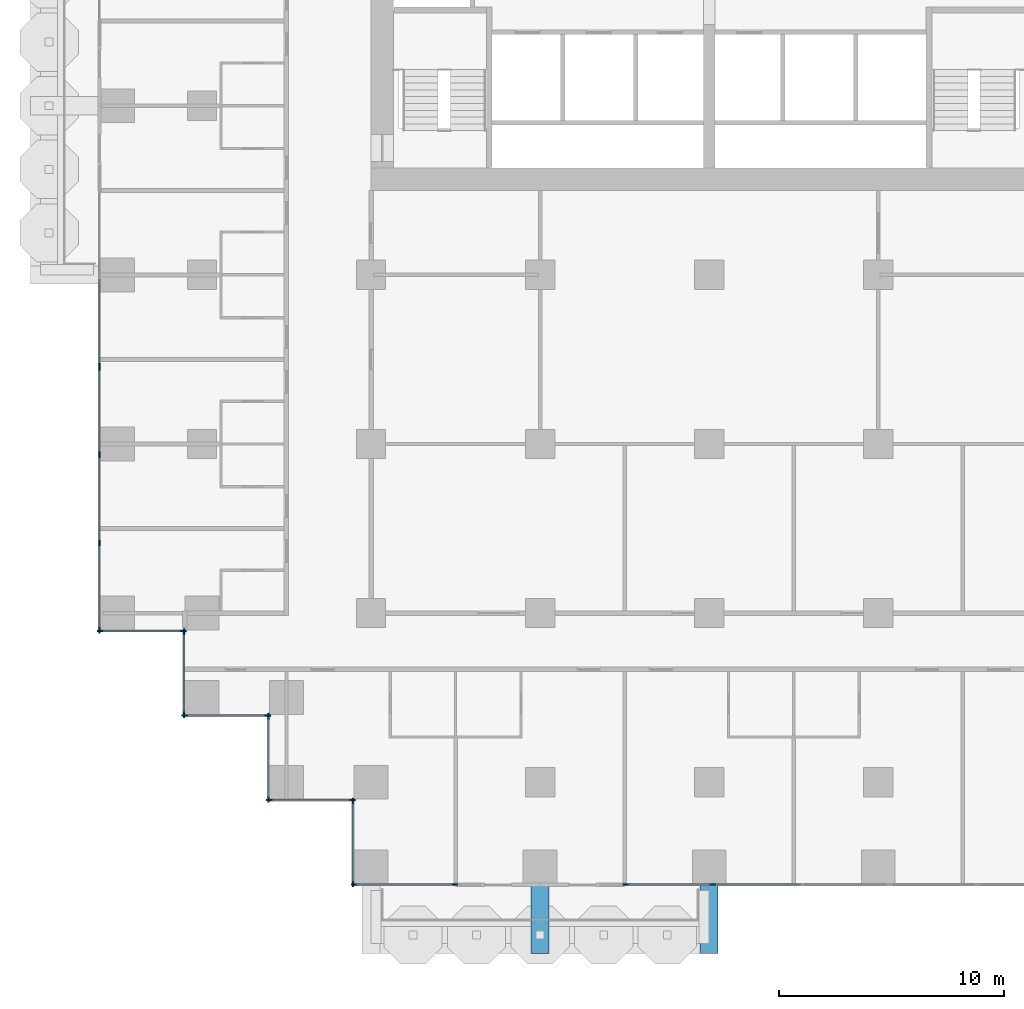
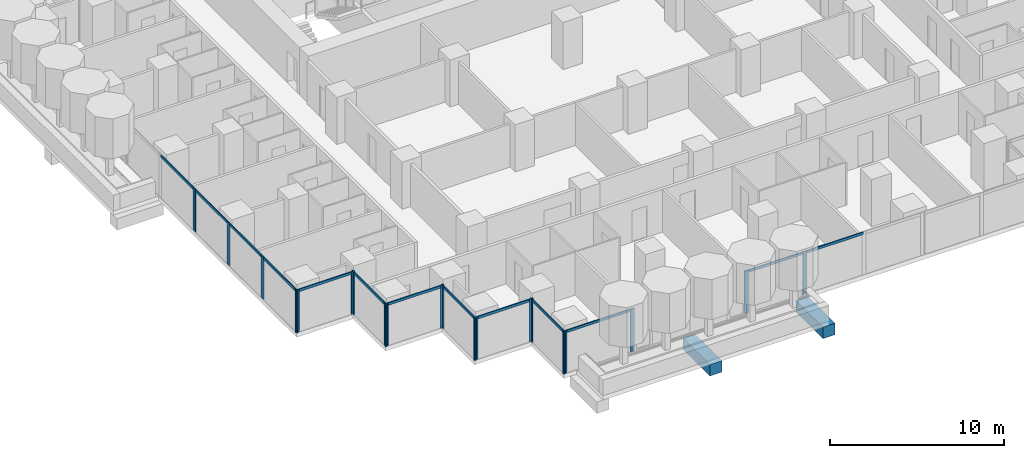
# One storey, part 2 of 18: 34 members, 2 beams, 10 elements without a shape of their own.
"""IFC4 building model written with IfcOpenShell, lengths in metres."""

from ifc_helpers import new_model, si_unit, direction, frame, origin, origin_2d, place, context, subcontext, project, spatial, rectangle, extrude, material, material_profile, profile_set, type_object, element, aggregate, save


model = new_model("IFC4")

# Units and contexts
model_context = context("Model", 3, precision=1e-05, world=origin(), true_north=direction((0.0, 1.0)))
body_context = subcontext(model_context, "Body", "Model", "MODEL_VIEW")
ifc_project = project(units=[si_unit("LENGTHUNIT", "METRE"), si_unit("AREAUNIT", "SQUARE_METRE"), si_unit("VOLUMEUNIT", "CUBIC_METRE"), si_unit("PLANEANGLEUNIT", "RADIAN"), si_unit("MASSUNIT", "GRAM", prefix="KILO")], contexts=[model_context])

# Site, building, storey
site_placement = place(None, origin())
site = spatial("IfcSite", under=ifc_project, at=site_placement, CompositionType="ELEMENT")
building_placement = place(site_placement, origin())
building = spatial("IfcBuilding", under=site, at=building_placement, Name="Pilkhan Gate Tower", CompositionType="ELEMENT")
storey_placement = place(building_placement, frame((0.0, 0.0, 75.800048828125)))
storey = spatial("IfcBuildingStorey", under=building, at=storey_placement, Name="L17", CompositionType="ELEMENT", Elevation=75.800048828125)

# Beams
ifc_material_1 = material(Name="Concrete C50/60", Category="concrete")
ifc_material_profile_1 = material_profile(ifc_material_1, rectangle(XDim=0.800048828125, YDim=0.800048828125, at=origin_2d()), Name="RC 800x800")
ifc_profile_set_1 = profile_set([ifc_material_profile_1], Name="Concrete C50/60")
beam_type = type_object("IfcBeamType", Name="Cantilever beam CB2 RC 800x800 C50/60", PredefinedType="BEAM", material=ifc_profile_set_1)
for number, where, z_axis, x_axis, name in (
    (1, (67.5, 40.5, -0.699951171875), (0.0, -1.0, 0.0), (1.0, 0.0, 0.0), "Balcony beam S.2 L17"),
    (2, (75.0, 40.5, -0.699951171875), (0.0, -1.0, 0.0), (1.0, 0.0, 0.0), "Balcony beam S.3 L17"),
):
    element("IfcBeam", number, at=place(storey_placement, frame(where, z_axis=z_axis, x_axis=x_axis)), inside=storey, type_object=beam_type, Name=name, PredefinedType="BEAM", context=body_context, shape_type="SweptSolid", body=[
        extrude(rectangle(XDim=0.800048828125, YDim=0.800048828125, at=origin_2d()), origin(), (0.0, 0.0, 1.0), 3.10009765625),
    ])

# Curtain wall, members
ifc_material_2 = material(Name="Pale anodised aluminium, clear low-iron double glazing", Category="aluminium")
curtain_wall_type = type_object("IfcCurtainWallType", Name="Hotel unitised curtain wall CW-H", PredefinedType="USERDEFINED", material=ifc_material_2)
curtain_wall_1_placement = place(storey_placement, origin())
curtain_wall_1 = element("IfcCurtainWall", 3, at=curtain_wall_1_placement, inside=storey, type_object=curtain_wall_type, Name="Hotel unitised curtain wall CW-H L17 W", ObjectType="UNITISED CURTAIN WALL", PredefinedType="USERDEFINED")
ifc_material_3 = material(Name="Pale anodised aluminium", Category="aluminium")
ifc_material_profile_2 = material_profile(ifc_material_3, rectangle(XDim=0.06494140625, YDim=0.25, at=origin_2d()), Name="Mullion 250x65")
ifc_profile_set_2 = profile_set([ifc_material_profile_2], Name="Pale anodised aluminium")
member_type_1 = type_object("IfcMemberType", Name="Mullion CW-H 250x65", PredefinedType="MULLION", material=ifc_profile_set_2)
member_1_placement = place(storey_placement, frame((47.955078125, 51.737548828125, 0.0), z_axis=(0.0, 0.0, 1.0), x_axis=(-1.0, 0.0, 0.0)))
member_1 = element("IfcMember", 4, at=member_1_placement, type_object=member_type_1, Name="CW-H mullion 1", PredefinedType="MULLION", context=body_context, shape_type="SweptSolid", body=[
    extrude(rectangle(XDim=0.06494140625, YDim=0.25, at=origin_2d()), origin(), (0.0, 0.0, 1.0), 3.0),
])
member_2_placement = place(storey_placement, frame((47.955078125, 55.614013671875, 0.0), z_axis=(0.0, 0.0, 1.0), x_axis=(-1.0, 0.0, 0.0)))
member_2 = element("IfcMember", 5, at=member_2_placement, type_object=member_type_1, Name="CW-H mullion 2", PredefinedType="MULLION", context=body_context, shape_type="SweptSolid", body=[
    extrude(rectangle(XDim=0.06494140625, YDim=0.25, at=origin_2d()), origin(), (0.0, 0.0, 1.0), 3.0),
])
member_3_placement = place(storey_placement, frame((47.955078125, 59.52294921875, 0.0), z_axis=(0.0, 0.0, 1.0), x_axis=(-1.0, 0.0, 0.0)))
member_3 = element("IfcMember", 6, at=member_3_placement, type_object=member_type_1, Name="CW-H mullion 3", PredefinedType="MULLION", context=body_context, shape_type="SweptSolid", body=[
    extrude(rectangle(XDim=0.06494140625, YDim=0.25, at=origin_2d()), origin(), (0.0, 0.0, 1.0), 3.0),
])
member_4_placement = place(storey_placement, frame((47.955078125, 63.3994140625, 0.0), z_axis=(0.0, 0.0, 1.0), x_axis=(-1.0, 0.0, 0.0)))
member_4 = element("IfcMember", 7, at=member_4_placement, type_object=member_type_1, Name="CW-H mullion 4", PredefinedType="MULLION", context=body_context, shape_type="SweptSolid", body=[
    extrude(rectangle(XDim=0.06494140625, YDim=0.25, at=origin_2d()), origin(), (0.0, 0.0, 1.0), 3.0),
])

# Curtain wall, member
curtain_wall_2_placement = place(storey_placement, origin())
curtain_wall_2 = element("IfcCurtainWall", 8, at=curtain_wall_2_placement, inside=storey, type_object=curtain_wall_type, Name="Hotel unitised curtain wall CW-H L17 W", ObjectType="UNITISED CURTAIN WALL", PredefinedType="USERDEFINED")
member_5_placement = place(storey_placement, frame((47.955078125, 63.464599609375, 0.0), z_axis=(0.0, 0.0, 1.0), x_axis=(-1.0, 0.0, 0.0)))
member_5 = element("IfcMember", 9, at=member_5_placement, type_object=member_type_1, Name="CW-H mullion 1", PredefinedType="MULLION", context=body_context, shape_type="SweptSolid", body=[
    extrude(rectangle(XDim=0.06494140625, YDim=0.25, at=origin_2d()), origin(), (0.0, 0.0, 1.0), 3.0),
])

# Curtain wall, members
curtain_wall_3_placement = place(storey_placement, origin())
curtain_wall_3 = element("IfcCurtainWall", 10, at=curtain_wall_3_placement, inside=storey, type_object=curtain_wall_type, Name="Hotel unitised curtain wall CW-H L17 S", ObjectType="UNITISED CURTAIN WALL", PredefinedType="USERDEFINED")
member_6_placement = place(storey_placement, frame((47.987548828125, 51.705078125, 0.0), z_axis=(0.0, 0.0, 1.0), x_axis=(0.0, 1.0, 0.0)))
member_6 = element("IfcMember", 11, at=member_6_placement, type_object=member_type_1, Name="CW-H mullion 1", PredefinedType="MULLION", context=body_context, shape_type="SweptSolid", body=[
    extrude(rectangle(XDim=0.06494140625, YDim=0.25, at=origin_2d()), origin(), (0.0, 0.0, 1.0), 3.0),
])
member_7_placement = place(storey_placement, frame((51.672607421875, 51.705078125, 0.0), z_axis=(0.0, 0.0, 1.0), x_axis=(0.0, 1.0, 0.0)))
member_7 = element("IfcMember", 12, at=member_7_placement, type_object=member_type_1, Name="CW-H mullion 2", PredefinedType="MULLION", context=body_context, shape_type="SweptSolid", body=[
    extrude(rectangle(XDim=0.06494140625, YDim=0.25, at=origin_2d()), origin(), (0.0, 0.0, 1.0), 3.0),
])

curtain_wall_4_placement = place(storey_placement, origin())
curtain_wall_4 = element("IfcCurtainWall", 13, at=curtain_wall_4_placement, inside=storey, type_object=curtain_wall_type, Name="Hotel unitised curtain wall CW-H L17 W", ObjectType="UNITISED CURTAIN WALL", PredefinedType="USERDEFINED")
member_8_placement = place(storey_placement, frame((51.705078125, 47.987548828125, 0.0), z_axis=(0.0, 0.0, 1.0), x_axis=(-1.0, 0.0, 0.0)))
member_8 = element("IfcMember", 14, at=member_8_placement, type_object=member_type_1, Name="CW-H mullion 1", PredefinedType="MULLION", context=body_context, shape_type="SweptSolid", body=[
    extrude(rectangle(XDim=0.06494140625, YDim=0.25, at=origin_2d()), origin(), (0.0, 0.0, 1.0), 3.0),
])
member_9_placement = place(storey_placement, frame((51.705078125, 51.672607421875, 0.0), z_axis=(0.0, 0.0, 1.0), x_axis=(-1.0, 0.0, 0.0)))
member_9 = element("IfcMember", 15, at=member_9_placement, type_object=member_type_1, Name="CW-H mullion 2", PredefinedType="MULLION", context=body_context, shape_type="SweptSolid", body=[
    extrude(rectangle(XDim=0.06494140625, YDim=0.25, at=origin_2d()), origin(), (0.0, 0.0, 1.0), 3.0),
])

curtain_wall_5_placement = place(storey_placement, origin())
curtain_wall_5 = element("IfcCurtainWall", 16, at=curtain_wall_5_placement, inside=storey, type_object=curtain_wall_type, Name="Hotel unitised curtain wall CW-H L17 S", ObjectType="UNITISED CURTAIN WALL", PredefinedType="USERDEFINED")
member_10_placement = place(storey_placement, frame((51.737548828125, 47.955078125, 0.0), z_axis=(0.0, 0.0, 1.0), x_axis=(0.0, 1.0, 0.0)))
member_10 = element("IfcMember", 17, at=member_10_placement, type_object=member_type_1, Name="CW-H mullion 1", PredefinedType="MULLION", context=body_context, shape_type="SweptSolid", body=[
    extrude(rectangle(XDim=0.06494140625, YDim=0.25, at=origin_2d()), origin(), (0.0, 0.0, 1.0), 3.0),
])
member_11_placement = place(storey_placement, frame((55.422607421875, 47.955078125, 0.0), z_axis=(0.0, 0.0, 1.0), x_axis=(0.0, 1.0, 0.0)))
member_11 = element("IfcMember", 18, at=member_11_placement, type_object=member_type_1, Name="CW-H mullion 2", PredefinedType="MULLION", context=body_context, shape_type="SweptSolid", body=[
    extrude(rectangle(XDim=0.06494140625, YDim=0.25, at=origin_2d()), origin(), (0.0, 0.0, 1.0), 3.0),
])

curtain_wall_6_placement = place(storey_placement, origin())
curtain_wall_6 = element("IfcCurtainWall", 19, at=curtain_wall_6_placement, inside=storey, type_object=curtain_wall_type, Name="Hotel unitised curtain wall CW-H L17 W", ObjectType="UNITISED CURTAIN WALL", PredefinedType="USERDEFINED")
member_12_placement = place(storey_placement, frame((55.455078125, 44.237548828125, 0.0), z_axis=(0.0, 0.0, 1.0), x_axis=(-1.0, 0.0, 0.0)))
member_12 = element("IfcMember", 20, at=member_12_placement, type_object=member_type_1, Name="CW-H mullion 1", PredefinedType="MULLION", context=body_context, shape_type="SweptSolid", body=[
    extrude(rectangle(XDim=0.06494140625, YDim=0.25, at=origin_2d()), origin(), (0.0, 0.0, 1.0), 3.0),
])
member_13_placement = place(storey_placement, frame((55.455078125, 47.922607421875, 0.0), z_axis=(0.0, 0.0, 1.0), x_axis=(-1.0, 0.0, 0.0)))
member_13 = element("IfcMember", 21, at=member_13_placement, type_object=member_type_1, Name="CW-H mullion 2", PredefinedType="MULLION", context=body_context, shape_type="SweptSolid", body=[
    extrude(rectangle(XDim=0.06494140625, YDim=0.25, at=origin_2d()), origin(), (0.0, 0.0, 1.0), 3.0),
])

curtain_wall_7_placement = place(storey_placement, origin())
curtain_wall_7 = element("IfcCurtainWall", 22, at=curtain_wall_7_placement, inside=storey, type_object=curtain_wall_type, Name="Hotel unitised curtain wall CW-H L17 S", ObjectType="UNITISED CURTAIN WALL", PredefinedType="USERDEFINED")
member_14_placement = place(storey_placement, frame((55.487548828125, 44.205078125, 0.0), z_axis=(0.0, 0.0, 1.0), x_axis=(0.0, 1.0, 0.0)))
member_14 = element("IfcMember", 23, at=member_14_placement, type_object=member_type_1, Name="CW-H mullion 1", PredefinedType="MULLION", context=body_context, shape_type="SweptSolid", body=[
    extrude(rectangle(XDim=0.06494140625, YDim=0.25, at=origin_2d()), origin(), (0.0, 0.0, 1.0), 3.0),
])
member_15_placement = place(storey_placement, frame((59.172607421875, 44.205078125, 0.0), z_axis=(0.0, 0.0, 1.0), x_axis=(0.0, 1.0, 0.0)))
member_15 = element("IfcMember", 24, at=member_15_placement, type_object=member_type_1, Name="CW-H mullion 2", PredefinedType="MULLION", context=body_context, shape_type="SweptSolid", body=[
    extrude(rectangle(XDim=0.06494140625, YDim=0.25, at=origin_2d()), origin(), (0.0, 0.0, 1.0), 3.0),
])

curtain_wall_8_placement = place(storey_placement, origin())
curtain_wall_8 = element("IfcCurtainWall", 25, at=curtain_wall_8_placement, inside=storey, type_object=curtain_wall_type, Name="Hotel unitised curtain wall CW-H L17 W", ObjectType="UNITISED CURTAIN WALL", PredefinedType="USERDEFINED")
member_16_placement = place(storey_placement, frame((59.205078125, 40.487548828125, 0.0), z_axis=(0.0, 0.0, 1.0), x_axis=(-1.0, 0.0, 0.0)))
member_16 = element("IfcMember", 26, at=member_16_placement, type_object=member_type_1, Name="CW-H mullion 1", PredefinedType="MULLION", context=body_context, shape_type="SweptSolid", body=[
    extrude(rectangle(XDim=0.06494140625, YDim=0.25, at=origin_2d()), origin(), (0.0, 0.0, 1.0), 3.0),
])
member_17_placement = place(storey_placement, frame((59.205078125, 44.172607421875, 0.0), z_axis=(0.0, 0.0, 1.0), x_axis=(-1.0, 0.0, 0.0)))
member_17 = element("IfcMember", 27, at=member_17_placement, type_object=member_type_1, Name="CW-H mullion 2", PredefinedType="MULLION", context=body_context, shape_type="SweptSolid", body=[
    extrude(rectangle(XDim=0.06494140625, YDim=0.25, at=origin_2d()), origin(), (0.0, 0.0, 1.0), 3.0),
])

curtain_wall_9_placement = place(storey_placement, origin())
curtain_wall_9 = element("IfcCurtainWall", 28, at=curtain_wall_9_placement, inside=storey, type_object=curtain_wall_type, Name="Hotel unitised curtain wall CW-H L17 S", ObjectType="UNITISED CURTAIN WALL", PredefinedType="USERDEFINED")
member_18_placement = place(storey_placement, frame((59.237548828125, 40.455078125, 0.0), z_axis=(0.0, 0.0, 1.0), x_axis=(0.0, 1.0, 0.0)))
member_18 = element("IfcMember", 29, at=member_18_placement, type_object=member_type_1, Name="CW-H mullion 1", PredefinedType="MULLION", context=body_context, shape_type="SweptSolid", body=[
    extrude(rectangle(XDim=0.06494140625, YDim=0.25, at=origin_2d()), origin(), (0.0, 0.0, 1.0), 3.0),
])
member_19_placement = place(storey_placement, frame((63.717529296875, 40.455078125, 0.0), z_axis=(0.0, 0.0, 1.0), x_axis=(0.0, 1.0, 0.0)))
member_19 = element("IfcMember", 30, at=member_19_placement, type_object=member_type_1, Name="CW-H mullion 2", PredefinedType="MULLION", context=body_context, shape_type="SweptSolid", body=[
    extrude(rectangle(XDim=0.06494140625, YDim=0.25, at=origin_2d()), origin(), (0.0, 0.0, 1.0), 3.0),
])

curtain_wall_10_placement = place(storey_placement, origin())
curtain_wall_10 = element("IfcCurtainWall", 31, at=curtain_wall_10_placement, inside=storey, type_object=curtain_wall_type, Name="Hotel unitised curtain wall CW-H L17 S", ObjectType="UNITISED CURTAIN WALL", PredefinedType="USERDEFINED")
member_20_placement = place(storey_placement, frame((71.282470703125, 40.455078125, 0.0), z_axis=(0.0, 0.0, 1.0), x_axis=(0.0, 1.0, 0.0)))
member_20 = element("IfcMember", 32, at=member_20_placement, type_object=member_type_1, Name="CW-H mullion 1", PredefinedType="MULLION", context=body_context, shape_type="SweptSolid", body=[
    extrude(rectangle(XDim=0.06494140625, YDim=0.25, at=origin_2d()), origin(), (0.0, 0.0, 1.0), 3.0),
])
member_21_placement = place(storey_placement, frame((75.158935546875, 40.455078125, 0.0), z_axis=(0.0, 0.0, 1.0), x_axis=(0.0, 1.0, 0.0)))
member_21 = element("IfcMember", 33, at=member_21_placement, type_object=member_type_1, Name="CW-H mullion 2", PredefinedType="MULLION", context=body_context, shape_type="SweptSolid", body=[
    extrude(rectangle(XDim=0.06494140625, YDim=0.25, at=origin_2d()), origin(), (0.0, 0.0, 1.0), 3.0),
])

# Member
ifc_material_profile_3 = material_profile(ifc_material_3, rectangle(XDim=0.06494140625, YDim=0.179931640625, at=origin_2d()), Name="Transom 180x65")
ifc_profile_set_3 = profile_set([ifc_material_profile_3], Name="Pale anodised aluminium")
member_type_2 = type_object("IfcMemberType", Name="Transom CW-H 180x65", PredefinedType="USERDEFINED", material=ifc_profile_set_3)
member_22_placement = place(storey_placement, frame((47.955078125, 51.77001953125, 2.909912109375), z_axis=(0.0, 1.0, 0.0), x_axis=(-1.0, 0.0, 0.0)))
member_22 = element("IfcMember", 34, at=member_22_placement, type_object=member_type_2, Name="CW-H transom 1", ObjectType="TRANSOM", PredefinedType="USERDEFINED", context=body_context, shape_type="SweptSolid", body=[
    extrude(rectangle(XDim=0.06494140625, YDim=0.179931640625, at=origin_2d()), origin(), (0.0, 0.0, 1.0), 3.8115234375),
])

member_23_placement = place(storey_placement, frame((47.955078125, 55.646484375, 2.909912109375), z_axis=(0.0, 1.0, 0.0), x_axis=(-1.0, 0.0, 0.0)))
member_23 = element("IfcMember", 35, at=member_23_placement, type_object=member_type_2, Name="CW-H transom 2", ObjectType="TRANSOM", PredefinedType="USERDEFINED", context=body_context, shape_type="SweptSolid", body=[
    extrude(rectangle(XDim=0.06494140625, YDim=0.179931640625, at=origin_2d()), origin(), (0.0, 0.0, 1.0), 3.843994140625),
])

member_24_placement = place(storey_placement, frame((47.955078125, 59.555419921875, 2.909912109375), z_axis=(0.0, 1.0, 0.0), x_axis=(-1.0, 0.0, 0.0)))
member_24 = element("IfcMember", 36, at=member_24_placement, type_object=member_type_2, Name="CW-H transom 3", ObjectType="TRANSOM", PredefinedType="USERDEFINED", context=body_context, shape_type="SweptSolid", body=[
    extrude(rectangle(XDim=0.06494140625, YDim=0.179931640625, at=origin_2d()), origin(), (0.0, 0.0, 1.0), 3.8115234375),
])

aggregate(curtain_wall_1, [member_1, member_2, member_3, member_4, member_22, member_23, member_24])

member_25_placement = place(storey_placement, frame((47.955078125, 63.4970703125, 2.909912109375), z_axis=(0.0, 1.0, 0.0), x_axis=(-1.0, 0.0, 0.0)))
member_25 = element("IfcMember", 37, at=member_25_placement, type_object=member_type_2, Name="CW-H transom 1", ObjectType="TRANSOM", PredefinedType="USERDEFINED", context=body_context, shape_type="SweptSolid", body=[
    extrude(rectangle(XDim=0.06494140625, YDim=0.179931640625, at=origin_2d()), origin(), (0.0, 0.0, 1.0), 3.8115234375),
])

aggregate(curtain_wall_2, [member_5, member_25])

member_26_placement = place(storey_placement, frame((48.02001953125, 51.705078125, 2.909912109375), z_axis=(1.0, 0.0, 0.0), x_axis=(0.0, 1.0, 0.0)))
member_26 = element("IfcMember", 38, at=member_26_placement, type_object=member_type_2, Name="CW-H transom 1", ObjectType="TRANSOM", PredefinedType="USERDEFINED", context=body_context, shape_type="SweptSolid", body=[
    extrude(rectangle(XDim=0.06494140625, YDim=0.179931640625, at=origin_2d()), origin(), (0.0, 0.0, 1.0), 3.619873046875),
])

aggregate(curtain_wall_3, [member_6, member_7, member_26])

member_27_placement = place(storey_placement, frame((51.705078125, 48.02001953125, 2.909912109375), z_axis=(0.0, 1.0, 0.0), x_axis=(-1.0, 0.0, 0.0)))
member_27 = element("IfcMember", 39, at=member_27_placement, type_object=member_type_2, Name="CW-H transom 1", ObjectType="TRANSOM", PredefinedType="USERDEFINED", context=body_context, shape_type="SweptSolid", body=[
    extrude(rectangle(XDim=0.06494140625, YDim=0.179931640625, at=origin_2d()), origin(), (0.0, 0.0, 1.0), 3.619873046875),
])

aggregate(curtain_wall_4, [member_8, member_9, member_27])

member_28_placement = place(storey_placement, frame((51.77001953125, 47.955078125, 2.909912109375), z_axis=(1.0, 0.0, 0.0), x_axis=(0.0, 1.0, 0.0)))
member_28 = element("IfcMember", 40, at=member_28_placement, type_object=member_type_2, Name="CW-H transom 1", ObjectType="TRANSOM", PredefinedType="USERDEFINED", context=body_context, shape_type="SweptSolid", body=[
    extrude(rectangle(XDim=0.06494140625, YDim=0.179931640625, at=origin_2d()), origin(), (0.0, 0.0, 1.0), 3.619873046875),
])

aggregate(curtain_wall_5, [member_10, member_11, member_28])

member_29_placement = place(storey_placement, frame((55.455078125, 44.27001953125, 2.909912109375), z_axis=(0.0, 1.0, 0.0), x_axis=(-1.0, 0.0, 0.0)))
member_29 = element("IfcMember", 41, at=member_29_placement, type_object=member_type_2, Name="CW-H transom 1", ObjectType="TRANSOM", PredefinedType="USERDEFINED", context=body_context, shape_type="SweptSolid", body=[
    extrude(rectangle(XDim=0.06494140625, YDim=0.179931640625, at=origin_2d()), origin(), (0.0, 0.0, 1.0), 3.619873046875),
])

aggregate(curtain_wall_6, [member_12, member_13, member_29])

member_30_placement = place(storey_placement, frame((55.52001953125, 44.205078125, 2.909912109375), z_axis=(1.0, 0.0, 0.0), x_axis=(0.0, 1.0, 0.0)))
member_30 = element("IfcMember", 42, at=member_30_placement, type_object=member_type_2, Name="CW-H transom 1", ObjectType="TRANSOM", PredefinedType="USERDEFINED", context=body_context, shape_type="SweptSolid", body=[
    extrude(rectangle(XDim=0.06494140625, YDim=0.179931640625, at=origin_2d()), origin(), (0.0, 0.0, 1.0), 3.619873046875),
])

aggregate(curtain_wall_7, [member_14, member_15, member_30])

member_31_placement = place(storey_placement, frame((59.205078125, 40.52001953125, 2.909912109375), z_axis=(0.0, 1.0, 0.0), x_axis=(-1.0, 0.0, 0.0)))
member_31 = element("IfcMember", 43, at=member_31_placement, type_object=member_type_2, Name="CW-H transom 1", ObjectType="TRANSOM", PredefinedType="USERDEFINED", context=body_context, shape_type="SweptSolid", body=[
    extrude(rectangle(XDim=0.06494140625, YDim=0.179931640625, at=origin_2d()), origin(), (0.0, 0.0, 1.0), 3.619873046875),
])

aggregate(curtain_wall_8, [member_16, member_17, member_31])

member_32_placement = place(storey_placement, frame((59.27001953125, 40.455078125, 2.909912109375), z_axis=(1.0, 0.0, 0.0), x_axis=(0.0, 1.0, 0.0)))
member_32 = element("IfcMember", 44, at=member_32_placement, type_object=member_type_2, Name="CW-H transom 1", ObjectType="TRANSOM", PredefinedType="USERDEFINED", context=body_context, shape_type="SweptSolid", body=[
    extrude(rectangle(XDim=0.06494140625, YDim=0.179931640625, at=origin_2d()), origin(), (0.0, 0.0, 1.0), 4.4150390625),
])

aggregate(curtain_wall_9, [member_18, member_19, member_32])

member_33_placement = place(storey_placement, frame((71.31494140625, 40.455078125, 2.909912109375), z_axis=(1.0, 0.0, 0.0), x_axis=(0.0, 1.0, 0.0)))
member_33 = element("IfcMember", 45, at=member_33_placement, type_object=member_type_2, Name="CW-H transom 1", ObjectType="TRANSOM", PredefinedType="USERDEFINED", context=body_context, shape_type="SweptSolid", body=[
    extrude(rectangle(XDim=0.06494140625, YDim=0.179931640625, at=origin_2d()), origin(), (0.0, 0.0, 1.0), 3.8115234375),
])

member_34_placement = place(storey_placement, frame((75.19140625, 40.455078125, 2.909912109375), z_axis=(1.0, 0.0, 0.0), x_axis=(0.0, 1.0, 0.0)))
member_34 = element("IfcMember", 46, at=member_34_placement, type_object=member_type_2, Name="CW-H transom 2", ObjectType="TRANSOM", PredefinedType="USERDEFINED", context=body_context, shape_type="SweptSolid", body=[
    extrude(rectangle(XDim=0.06494140625, YDim=0.179931640625, at=origin_2d()), origin(), (0.0, 0.0, 1.0), 3.843994140625),
])

aggregate(curtain_wall_10, [member_20, member_21, member_33, member_34])

save(model, "model.ifc")
